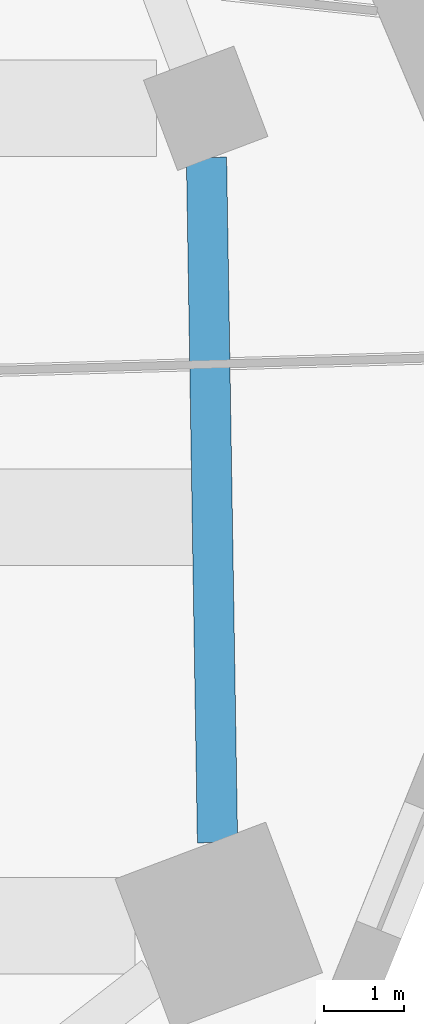
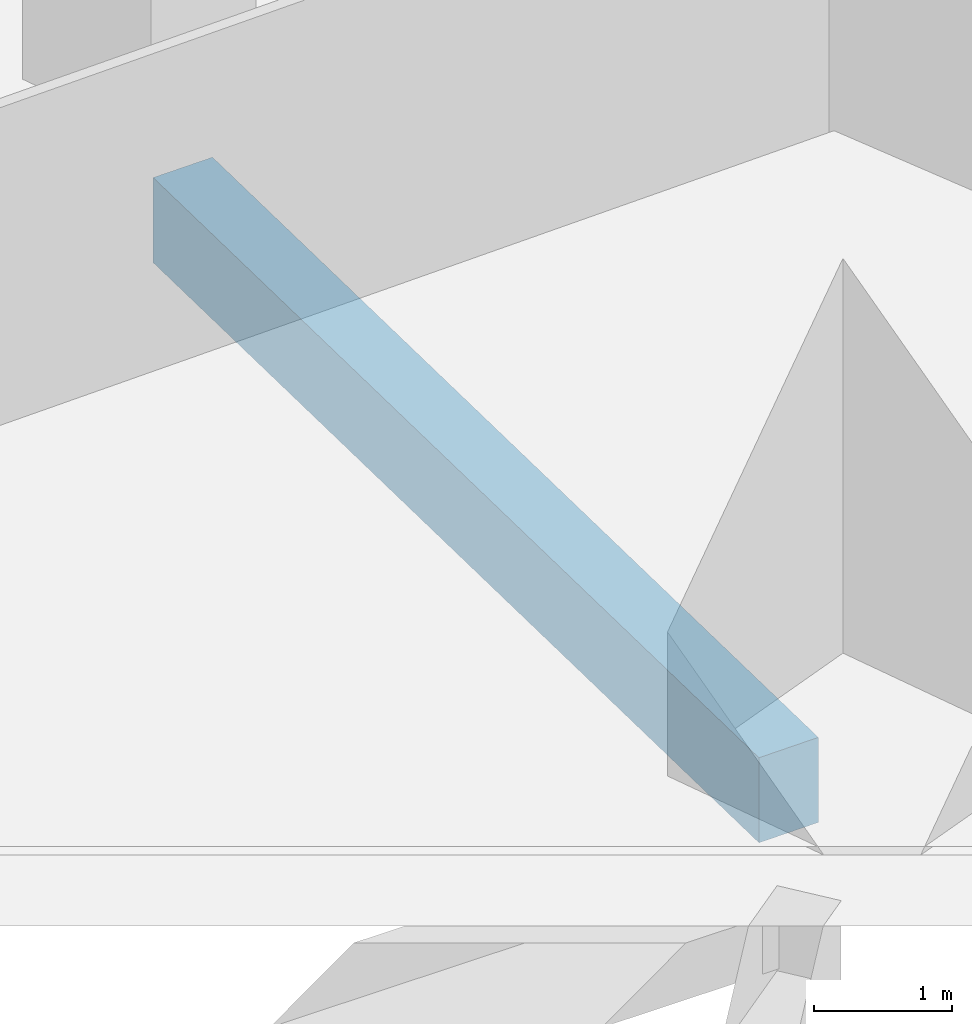
# One storey, part 3 of 12: 1 beam.
"""IFC4 building model written with IfcOpenShell, lengths in metres."""

import ifcopenshell
import ifcopenshell.guid

model = None  # the IFC model being written
_history = None  # IfcOwnerHistory: only IFC2X3 demands one
_inside = {}  # id of a spatial element -> (the spatial element, [elements in it])
_under = {}  # id of a project, library or spatial element -> (it, [spatial elements below it])
_declared = {}  # id of a project -> (the project, [libraries it declares])
_typed = {}  # id of a type object -> (the type object, [elements of that type])
_made_of = {}  # id of a material, layer set ... -> (it, [elements and type objects made of it])


def new_model(schema):
    """Start an empty IFC model of exactly this schema.

    Asked for "IFC4X3", IfcOpenShell would pick the latest addendum, in which some entities
    have other attributes; the version numbers below select the first issue.
    IFC2X3 requires an IfcOwnerHistory on every rooted entity: one is made here for all.
    """
    global model, _history
    if schema == "IFC4X3":
        model = ifcopenshell.file(schema_version=(4, 3, 0, 0))
    else:
        model = ifcopenshell.file(schema=schema)
    _inside.clear()
    _under.clear()
    _declared.clear()
    _typed.clear()
    _made_of.clear()
    _history = None
    if model.schema == "IFC2X3":
        org = make("IfcOrganization", Name="unknown")
        user = make(
            "IfcPersonAndOrganization",
            ThePerson=make("IfcPerson", FamilyName="unknown"),
            TheOrganization=org,
        )
        app = make(
            "IfcApplication",
            ApplicationDeveloper=org,
            Version="unknown",
            ApplicationFullName="unknown",
            ApplicationIdentifier="unknown",
        )
        _history = make(
            "IfcOwnerHistory",
            OwningUser=user,
            OwningApplication=app,
            ChangeAction="ADDED",
            CreationDate=0,
        )
    return model


def make(cls, **values):
    """One entity of the class cls with the attributes given. An attribute that is None is left unset."""
    return model.create_entity(
        cls, **{name: value for name, value in values.items() if value is not None}
    )


def rooted(cls, **values):
    """An entity with a GlobalId (a new one), such as an element, a storey or a relation."""
    return make(cls, GlobalId=ifcopenshell.guid.new(), OwnerHistory=_history, **values)


def si_unit(unit_type, name, prefix=None):
    """IfcSIUnit, for example si_unit("LENGTHUNIT", "METRE", prefix="MILLI")."""
    return make("IfcSIUnit", UnitType=unit_type, Prefix=prefix, Name=name)


def assignment(units):
    """IfcUnitAssignment: the units of a project."""
    return None if units is None else make("IfcUnitAssignment", Units=units)


def point(xyz):
    """IfcCartesianPoint."""
    return None if xyz is None else make("IfcCartesianPoint", Coordinates=xyz)


def direction(xyz):
    """IfcDirection."""
    return None if xyz is None else make("IfcDirection", DirectionRatios=xyz)


def frame(location, z_axis=None, x_axis=None):
    """IfcAxis2Placement3D, a coordinate frame: its origin and axes. An axis left out is left unset."""
    return make(
        "IfcAxis2Placement3D",
        Location=point(location),
        Axis=direction(z_axis),
        RefDirection=direction(x_axis),
    )


def frame_2d(location, x_axis=None):
    """IfcAxis2Placement2D, a coordinate frame in the plane: its origin and x axis."""
    return make(
        "IfcAxis2Placement2D", Location=point(location), RefDirection=direction(x_axis)
    )


def origin():
    """The frame at (0, 0, 0) with its axes left unset."""
    return frame((0.0, 0.0, 0.0))


def origin_2d():
    """The frame at (0, 0) in the plane with its x axis left unset."""
    return frame_2d((0.0, 0.0))


def place(relative_to, where):
    """IfcLocalPlacement: puts the frame where relative to a parent placement (None: the world)."""
    return make(
        "IfcLocalPlacement", PlacementRelTo=relative_to, RelativePlacement=where
    )


def context(
    kind, dimensions, precision=None, world=None, true_north=None, identifier=None
):
    """IfcGeometricRepresentationContext, for example the 3D "Model" context."""
    return make(
        "IfcGeometricRepresentationContext",
        ContextIdentifier=identifier,
        ContextType=kind,
        CoordinateSpaceDimension=dimensions,
        Precision=precision,
        WorldCoordinateSystem=world,
        TrueNorth=true_north,
    )


def subcontext(parent, identifier, kind, view, scale=None):
    """IfcGeometricRepresentationSubContext, for example "Body" below "Model"."""
    return make(
        "IfcGeometricRepresentationSubContext",
        ContextIdentifier=identifier,
        ContextType=kind,
        ParentContext=parent,
        TargetScale=scale,
        TargetView=view,
    )


def project(units=None, contexts=None):
    """IfcProject with its units and contexts."""
    return rooted(
        "IfcProject",
        Name="project",
        RepresentationContexts=contexts,
        UnitsInContext=assignment(units),
    )


def spatial(cls, under=None, at=None, **own):
    """A site, building, storey or space (cls), placed at a placement, below another one or the project."""
    s = rooted(cls, ObjectPlacement=at, **own)
    if under is not None:
        _under.setdefault(under.id(), (under, []))[1].append(s)
    return s


def profile(cls, at=None, kind="AREA", **sizes):
    """A parametric profile (cls). Its sizes go by their IFC names, for example OverallWidth=200.0."""
    return make(cls, ProfileType=kind, Position=at, **sizes)


def rectangle(**sizes):
    """IfcRectangleProfileDef."""
    return profile("IfcRectangleProfileDef", **sizes)


def extrude(swept, where, along, depth):
    """IfcExtrudedAreaSolid: the profile swept, set in the frame where, extruded along a direction by depth."""
    return make(
        "IfcExtrudedAreaSolid",
        SweptArea=swept,
        Position=where,
        ExtrudedDirection=direction(along),
        Depth=depth,
    )


def shape(context_of_items, identifier, shape_type, items):
    """IfcShapeRepresentation: the items that make up one representation, for example the "Body"."""
    return make(
        "IfcShapeRepresentation",
        ContextOfItems=context_of_items,
        RepresentationIdentifier=identifier,
        RepresentationType=shape_type,
        Items=items,
    )


def material(Name=None, Category=None):
    """IfcMaterial."""
    return make("IfcMaterial", Name=Name, Category=Category)


def material_profile(
    of_material, cross_section, Name=None, Category=None, Priority=None
):
    """IfcMaterialProfile: a cross section and its material."""
    return make(
        "IfcMaterialProfile",
        Name=Name,
        Material=of_material,
        Profile=cross_section,
        Priority=Priority,
        Category=Category,
    )


def profile_set(profiles, Name=None, composite=None):
    """IfcMaterialProfileSet."""
    return make(
        "IfcMaterialProfileSet",
        Name=Name,
        MaterialProfiles=profiles,
        CompositeProfile=composite,
    )


def made_of(thing, what):
    """Note that an element or type object is made of a material, layer set ...; save() writes the relation."""
    if what is not None:
        _made_of.setdefault(what.id(), (what, []))[1].append(thing)
    return thing


def type_object(cls, material=None, **own):
    """A type object (cls), such as IfcWallType, which elements share."""
    return made_of(rooted(cls, **own), material)


def element(
    cls,
    number,
    at=None,
    inside=None,
    cuts=None,
    type_object=None,
    material=None,
    context=None,
    identifier="Body",
    shape_type=None,
    held_by="IfcProductDefinitionShape",
    body=None,
    shapes=None,
    **own,
):
    """One element of the class cls, such as IfcWall. Its Tag is "e" and its number.

    at: its placement. inside: the storey or other place that contains it. cuts: it is an
    opening in that element (IfcRelVoidsElement). A single representation is given by context,
    identifier, shape_type and body (its items); several are given by shapes. held_by: the class
    of the entity that holds the representations. save() writes the other relations.
    """
    e = rooted(cls, Tag="e%d" % number, ObjectPlacement=at, **own)
    if body is not None:
        shapes = [shape(context, identifier, shape_type, body)]
    if shapes is not None:
        e.Representation = make(held_by, Representations=shapes)
    if inside is not None:
        _inside.setdefault(inside.id(), (inside, []))[1].append(e)
    if cuts is not None:
        rooted(
            "IfcRelVoidsElement", RelatingBuildingElement=cuts, RelatedOpeningElement=e
        )
    if type_object is not None:
        _typed.setdefault(type_object.id(), (type_object, []))[1].append(e)
    return made_of(e, material)


def aggregate(whole, parts):
    """IfcRelAggregates: a whole, such as a stair, and the parts it consists of."""
    return rooted("IfcRelAggregates", RelatingObject=whole, RelatedObjects=parts)


def save(model, path):
    """Write the relations noted so far, then the file.

    IfcRelAggregates (storeys below a building ...), IfcRelContainedInSpatialStructure (elements
    in a storey), IfcRelDefinesByType, IfcRelAssociatesMaterial and IfcRelDeclares: one each for
    every whole, place, type object, material and project.
    """
    for whole, parts in _under.values():
        aggregate(whole, parts)
    for where, things in _inside.values():
        rooted(
            "IfcRelContainedInSpatialStructure",
            RelatedElements=things,
            RelatingStructure=where,
        )
    for kind, things in _typed.values():
        rooted("IfcRelDefinesByType", RelatedObjects=things, RelatingType=kind)
    for what, things in _made_of.values():
        rooted("IfcRelAssociatesMaterial", RelatedObjects=things, RelatingMaterial=what)
    for by, libraries in _declared.values():
        rooted("IfcRelDeclares", RelatingContext=by, RelatedDefinitions=libraries)
    model.write(path)


model = new_model("IFC4")

# Units and contexts
model_context = context("Model", 3, precision=1e-05, world=origin(), true_north=direction((0.0, 1.0)))
body_context = subcontext(model_context, "Body", "Model", "MODEL_VIEW")
ifc_project = project(units=[si_unit("LENGTHUNIT", "METRE"), si_unit("AREAUNIT", "SQUARE_METRE"), si_unit("VOLUMEUNIT", "CUBIC_METRE"), si_unit("PLANEANGLEUNIT", "RADIAN"), si_unit("MASSUNIT", "GRAM", prefix="KILO")], contexts=[model_context])

# Site, building, storey
site_placement = place(None, origin())
site = spatial("IfcSite", under=ifc_project, at=site_placement, CompositionType="ELEMENT")
building_placement = place(site_placement, origin())
building = spatial("IfcBuilding", under=site, at=building_placement, Name="Dilmun Exchange Tower", CompositionType="ELEMENT")
storey_placement = place(building_placement, frame((0.0, 0.0, 114.10009765625)))
storey = spatial("IfcBuildingStorey", under=building, at=storey_placement, Name="L26", CompositionType="ELEMENT", Elevation=114.10009765625)

# Beam
ifc_material = material(Name="Concrete C40/50", Category="concrete")
ifc_material_profile = material_profile(ifc_material, rectangle(XDim=0.5, YDim=0.75, at=origin_2d()), Name="500 x 750")
ifc_profile_set = profile_set([ifc_material_profile], Name="Concrete C40/50")
beam_type = type_object("IfcBeamType", Name="RC ring beam 500 x 750 C40/50", PredefinedType="SPANDREL", material=ifc_profile_set)
beam_placement = place(storey_placement, frame((30.37744140625, -11.33544921875, -0.795166015625), z_axis=(-0.016054357527, 0.999871120497, 0.0), x_axis=(-0.999871120497, -0.016054357527, 0.0)))
element("IfcBeam", 1, at=beam_placement, inside=storey, type_object=beam_type, Name="Ring beam 13", PredefinedType="SPANDREL", context=body_context, shape_type="SweptSolid", body=[
    extrude(rectangle(XDim=0.5, YDim=0.75, at=origin_2d()), origin(), (0.0, 0.0, 1.0), 8.515869140625),
])

save(model, "model.ifc")
